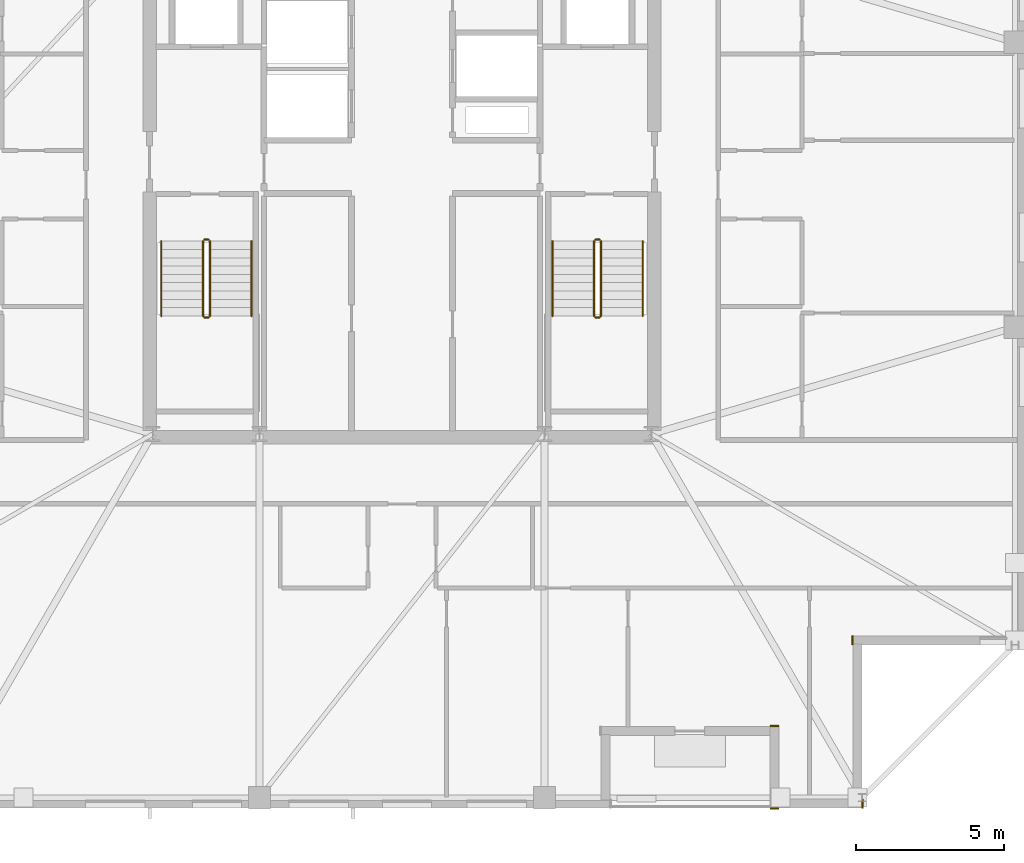
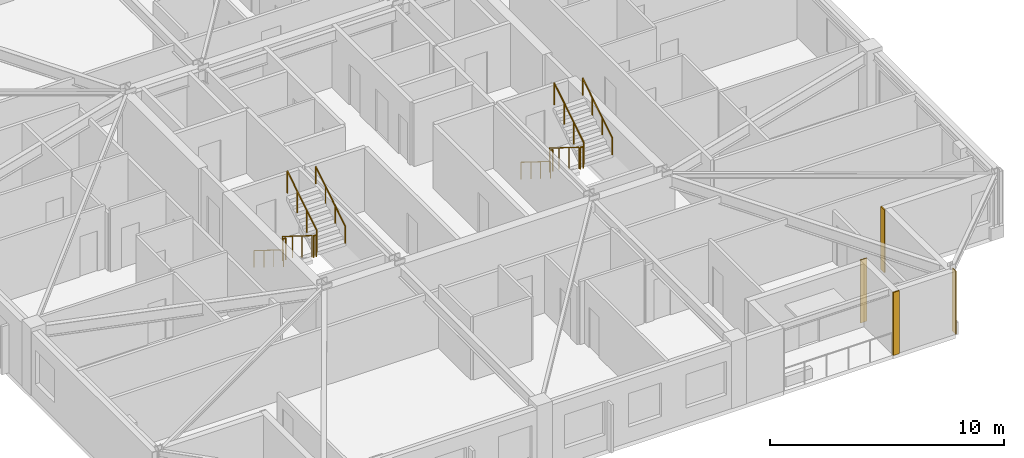
# One storey, part 13 of 15: 12 railings, 4 coverings.
"""IFC4 building model written with IfcOpenShell, lengths in metres."""

import ifcopenshell
import ifcopenshell.guid

model = None  # the IFC model being written
_history = None  # IfcOwnerHistory: only IFC2X3 demands one
_inside = {}  # id of a spatial element -> (the spatial element, [elements in it])
_under = {}  # id of a project, library or spatial element -> (it, [spatial elements below it])
_declared = {}  # id of a project -> (the project, [libraries it declares])
_typed = {}  # id of a type object -> (the type object, [elements of that type])
_made_of = {}  # id of a material, layer set ... -> (it, [elements and type objects made of it])


def new_model(schema):
    """Start an empty IFC model of exactly this schema.

    Asked for "IFC4X3", IfcOpenShell would pick the latest addendum, in which some entities
    have other attributes; the version numbers below select the first issue.
    IFC2X3 requires an IfcOwnerHistory on every rooted entity: one is made here for all.
    """
    global model, _history
    if schema == "IFC4X3":
        model = ifcopenshell.file(schema_version=(4, 3, 0, 0))
    else:
        model = ifcopenshell.file(schema=schema)
    _inside.clear()
    _under.clear()
    _declared.clear()
    _typed.clear()
    _made_of.clear()
    _history = None
    if model.schema == "IFC2X3":
        org = make("IfcOrganization", Name="unknown")
        user = make(
            "IfcPersonAndOrganization",
            ThePerson=make("IfcPerson", FamilyName="unknown"),
            TheOrganization=org,
        )
        app = make(
            "IfcApplication",
            ApplicationDeveloper=org,
            Version="unknown",
            ApplicationFullName="unknown",
            ApplicationIdentifier="unknown",
        )
        _history = make(
            "IfcOwnerHistory",
            OwningUser=user,
            OwningApplication=app,
            ChangeAction="ADDED",
            CreationDate=0,
        )
    return model


def make(cls, **values):
    """One entity of the class cls with the attributes given. An attribute that is None is left unset."""
    return model.create_entity(
        cls, **{name: value for name, value in values.items() if value is not None}
    )


def rooted(cls, **values):
    """An entity with a GlobalId (a new one), such as an element, a storey or a relation."""
    return make(cls, GlobalId=ifcopenshell.guid.new(), OwnerHistory=_history, **values)


def si_unit(unit_type, name, prefix=None):
    """IfcSIUnit, for example si_unit("LENGTHUNIT", "METRE", prefix="MILLI")."""
    return make("IfcSIUnit", UnitType=unit_type, Prefix=prefix, Name=name)


def assignment(units):
    """IfcUnitAssignment: the units of a project."""
    return None if units is None else make("IfcUnitAssignment", Units=units)


def point(xyz):
    """IfcCartesianPoint."""
    return None if xyz is None else make("IfcCartesianPoint", Coordinates=xyz)


def direction(xyz):
    """IfcDirection."""
    return None if xyz is None else make("IfcDirection", DirectionRatios=xyz)


def frame(location, z_axis=None, x_axis=None):
    """IfcAxis2Placement3D, a coordinate frame: its origin and axes. An axis left out is left unset."""
    return make(
        "IfcAxis2Placement3D",
        Location=point(location),
        Axis=direction(z_axis),
        RefDirection=direction(x_axis),
    )


def frame_2d(location, x_axis=None):
    """IfcAxis2Placement2D, a coordinate frame in the plane: its origin and x axis."""
    return make(
        "IfcAxis2Placement2D", Location=point(location), RefDirection=direction(x_axis)
    )


def origin():
    """The frame at (0, 0, 0) with its axes left unset."""
    return frame((0.0, 0.0, 0.0))


def origin_2d():
    """The frame at (0, 0) in the plane with its x axis left unset."""
    return frame_2d((0.0, 0.0))


def place(relative_to, where):
    """IfcLocalPlacement: puts the frame where relative to a parent placement (None: the world)."""
    return make(
        "IfcLocalPlacement", PlacementRelTo=relative_to, RelativePlacement=where
    )


def context(
    kind, dimensions, precision=None, world=None, true_north=None, identifier=None
):
    """IfcGeometricRepresentationContext, for example the 3D "Model" context."""
    return make(
        "IfcGeometricRepresentationContext",
        ContextIdentifier=identifier,
        ContextType=kind,
        CoordinateSpaceDimension=dimensions,
        Precision=precision,
        WorldCoordinateSystem=world,
        TrueNorth=true_north,
    )


def subcontext(parent, identifier, kind, view, scale=None):
    """IfcGeometricRepresentationSubContext, for example "Body" below "Model"."""
    return make(
        "IfcGeometricRepresentationSubContext",
        ContextIdentifier=identifier,
        ContextType=kind,
        ParentContext=parent,
        TargetScale=scale,
        TargetView=view,
    )


def project(units=None, contexts=None):
    """IfcProject with its units and contexts."""
    return rooted(
        "IfcProject",
        Name="project",
        RepresentationContexts=contexts,
        UnitsInContext=assignment(units),
    )


def spatial(cls, under=None, at=None, **own):
    """A site, building, storey or space (cls), placed at a placement, below another one or the project."""
    s = rooted(cls, ObjectPlacement=at, **own)
    if under is not None:
        _under.setdefault(under.id(), (under, []))[1].append(s)
    return s


def profile(cls, at=None, kind="AREA", **sizes):
    """A parametric profile (cls). Its sizes go by their IFC names, for example OverallWidth=200.0."""
    return make(cls, ProfileType=kind, Position=at, **sizes)


def rectangle(**sizes):
    """IfcRectangleProfileDef."""
    return profile("IfcRectangleProfileDef", **sizes)


def circle(**sizes):
    """IfcCircleProfileDef."""
    return profile("IfcCircleProfileDef", **sizes)


def extrude(swept, where, along, depth):
    """IfcExtrudedAreaSolid: the profile swept, set in the frame where, extruded along a direction by depth."""
    return make(
        "IfcExtrudedAreaSolid",
        SweptArea=swept,
        Position=where,
        ExtrudedDirection=direction(along),
        Depth=depth,
    )


def shape(context_of_items, identifier, shape_type, items):
    """IfcShapeRepresentation: the items that make up one representation, for example the "Body"."""
    return make(
        "IfcShapeRepresentation",
        ContextOfItems=context_of_items,
        RepresentationIdentifier=identifier,
        RepresentationType=shape_type,
        Items=items,
    )


def material(Name=None, Category=None):
    """IfcMaterial."""
    return make("IfcMaterial", Name=Name, Category=Category)


def layer(
    of_material, thickness, ventilated=None, Name=None, Category=None, Priority=None
):
    """IfcMaterialLayer: one layer of a wall or slab, of a material (None: an air gap)."""
    return make(
        "IfcMaterialLayer",
        Material=of_material,
        LayerThickness=thickness,
        IsVentilated=ventilated,
        Name=Name,
        Category=Category,
        Priority=Priority,
    )


def layer_set(layers, Name=None):
    """IfcMaterialLayerSet."""
    return make("IfcMaterialLayerSet", MaterialLayers=layers, LayerSetName=Name)


def made_of(thing, what):
    """Note that an element or type object is made of a material, layer set ...; save() writes the relation."""
    if what is not None:
        _made_of.setdefault(what.id(), (what, []))[1].append(thing)
    return thing


def type_object(cls, material=None, **own):
    """A type object (cls), such as IfcWallType, which elements share."""
    return made_of(rooted(cls, **own), material)


def element(
    cls,
    number,
    at=None,
    inside=None,
    cuts=None,
    type_object=None,
    material=None,
    context=None,
    identifier="Body",
    shape_type=None,
    held_by="IfcProductDefinitionShape",
    body=None,
    shapes=None,
    **own,
):
    """One element of the class cls, such as IfcWall. Its Tag is "e" and its number.

    at: its placement. inside: the storey or other place that contains it. cuts: it is an
    opening in that element (IfcRelVoidsElement). A single representation is given by context,
    identifier, shape_type and body (its items); several are given by shapes. held_by: the class
    of the entity that holds the representations. save() writes the other relations.
    """
    e = rooted(cls, Tag="e%d" % number, ObjectPlacement=at, **own)
    if body is not None:
        shapes = [shape(context, identifier, shape_type, body)]
    if shapes is not None:
        e.Representation = make(held_by, Representations=shapes)
    if inside is not None:
        _inside.setdefault(inside.id(), (inside, []))[1].append(e)
    if cuts is not None:
        rooted(
            "IfcRelVoidsElement", RelatingBuildingElement=cuts, RelatedOpeningElement=e
        )
    if type_object is not None:
        _typed.setdefault(type_object.id(), (type_object, []))[1].append(e)
    return made_of(e, material)


def aggregate(whole, parts):
    """IfcRelAggregates: a whole, such as a stair, and the parts it consists of."""
    return rooted("IfcRelAggregates", RelatingObject=whole, RelatedObjects=parts)


def save(model, path):
    """Write the relations noted so far, then the file.

    IfcRelAggregates (storeys below a building ...), IfcRelContainedInSpatialStructure (elements
    in a storey), IfcRelDefinesByType, IfcRelAssociatesMaterial and IfcRelDeclares: one each for
    every whole, place, type object, material and project.
    """
    for whole, parts in _under.values():
        aggregate(whole, parts)
    for where, things in _inside.values():
        rooted(
            "IfcRelContainedInSpatialStructure",
            RelatedElements=things,
            RelatingStructure=where,
        )
    for kind, things in _typed.values():
        rooted("IfcRelDefinesByType", RelatedObjects=things, RelatingType=kind)
    for what, things in _made_of.values():
        rooted("IfcRelAssociatesMaterial", RelatedObjects=things, RelatingMaterial=what)
    for by, libraries in _declared.values():
        rooted("IfcRelDeclares", RelatingContext=by, RelatedDefinitions=libraries)
    model.write(path)


model = new_model("IFC4")

# Units and contexts
model_context = context("Model", 3, precision=1e-05, world=origin(), true_north=direction((0.0, 1.0)))
body_context = subcontext(model_context, "Body", "Model", "MODEL_VIEW")
ifc_project = project(units=[si_unit("LENGTHUNIT", "METRE"), si_unit("AREAUNIT", "SQUARE_METRE"), si_unit("VOLUMEUNIT", "CUBIC_METRE"), si_unit("PLANEANGLEUNIT", "RADIAN"), si_unit("MASSUNIT", "GRAM", prefix="KILO")], contexts=[model_context])

# Site, building, storey
site_placement = place(None, origin())
site = spatial("IfcSite", under=ifc_project, at=site_placement, CompositionType="ELEMENT")
building_placement = place(site_placement, origin())
building = spatial("IfcBuilding", under=site, at=building_placement, Name="Cairnveth Concourse Tower", CompositionType="ELEMENT")
storey_placement = place(building_placement, frame((0.0, 0.0, 287.5)))
storey = spatial("IfcBuildingStorey", under=building, at=storey_placement, Name="L79", CompositionType="ELEMENT", Elevation=287.5)

# Coverings
ifc_material_1 = material(Name="Dressed Melbourne Bluestone Cladding", Category="masonry")
ifc_layer = layer(ifc_material_1, 0.050048828125)
ifc_layer_set = layer_set([ifc_layer], Name="Dressed Melbourne Bluestone Cladding")
covering_type = type_object("IfcCoveringType", Name="DRESSED BLUESTONE PLINTH CLADDING 50", PredefinedType="CLADDING", material=ifc_layer_set)
for number, where, z_axis, x_axis, name in (
    (1, (67.179931640625, 23.800048828125, 0.0), (0.0, 0.0, 1.0), (0.0, -1.0, 0.0), "Melbourne Bluestone Corner Quoin L79-1206"),
    (2, (67.52001953125, 18.300048828125, 0.0), (0.0, 0.0, 1.0), (0.0, -1.0, 0.0), "Melbourne Bluestone Corner Quoin L79-1207"),
    (3, (64.699951171875, 17.97998046875, 0.0), (0.0, 0.0, 1.0), (-1.0, 0.0, 0.0), "Melbourne Bluestone Corner Quoin L79-1208"),
    (4, (64.699951171875, 20.77001953125, 0.0), (0.0, 0.0, 1.0), (-1.0, 0.0, 0.0), "Melbourne Bluestone Corner Quoin L79-1209"),
):
    element("IfcCovering", number, at=place(storey_placement, frame(where, z_axis=z_axis, x_axis=x_axis)), inside=storey, type_object=covering_type, Name=name, PredefinedType="CLADDING", context=body_context, shape_type="SweptSolid", body=[
        extrude(rectangle(XDim=0.300048828125, YDim=0.050048828125, at=frame_2d((0.14990234375, 0.0))), origin(), (0.0, 0.0, 1.0), 3.2900390625),
    ])

# Railings
ifc_material_2 = material(Name="Steel Grade 350", Category="steel")
railing_type_1 = type_object("IfcRailingType", Name="STAIR GUARDRAIL 1150", PredefinedType="GUARDRAIL", material=ifc_material_2)
railing_1_placement = place(storey_placement, frame((45.2900390625, 37.10009765625, 0.175048828125)))
element("IfcRailing", 5, at=railing_1_placement, inside=storey, type_object=railing_type_1, Name="L79 ST-1 stair guard 1", PredefinedType="GUARDRAIL", context=body_context, shape_type="SweptSolid", body=[
    extrude(circle(Radius=0.02392578125, at=origin_2d()), frame((0.0, 0.0, 1.1259765625), z_axis=(0.0, -0.848007534815, 0.529984170421), x_axis=(1.0, 0.0, 0.0)), (0.0, 0.0, 1.0), 2.9716796875),
    extrude(circle(Radius=0.02099609375, at=origin_2d()), origin(), (0.0, 0.0, 1.0), 1.101806640625),
    extrude(circle(Radius=0.02099609375, at=origin_2d()), frame((0.0, -0.840087890625, 0.52490234375)), (0.0, 0.0, 1.0), 1.101806640625),
    extrude(circle(Radius=0.02099609375, at=origin_2d()), frame((0.0, -1.679931640625, 1.050048828125)), (0.0, 0.0, 1.0), 1.101806640625),
    extrude(circle(Radius=0.02099609375, at=origin_2d()), frame((0.0, -2.52001953125, 1.574951171875)), (0.0, 0.0, 1.0), 1.101806640625),
])
railing_2_placement = place(storey_placement, frame((45.340087890625, 34.530029296875, 1.75)))
element("IfcRailing", 6, at=railing_2_placement, inside=storey, type_object=railing_type_1, Name="L79 ST-1 stair guard 2", PredefinedType="GUARDRAIL", context=body_context, shape_type="SweptSolid", body=[
    extrude(circle(Radius=0.02392578125, at=origin_2d()), frame((0.0, 0.0, 1.1259765625), z_axis=(1.0, 0.0, 0.0), x_axis=(0.0, 1.0, 0.0)), (0.0, 0.0, 1.0), 0.139892578125),
    extrude(circle(Radius=0.02099609375, at=origin_2d()), origin(), (0.0, 0.0, 1.0), 1.101806640625),
    extrude(circle(Radius=0.02099609375, at=origin_2d()), frame((0.139892578125, 0.0, 0.0)), (0.0, 0.0, 1.0), 1.101806640625),
])
railing_3_placement = place(storey_placement, frame((45.530029296875, 34.580078125, 1.925048828125)))
element("IfcRailing", 7, at=railing_3_placement, inside=storey, type_object=railing_type_1, Name="L79 ST-1 stair guard 3", PredefinedType="GUARDRAIL", context=body_context, shape_type="SweptSolid", body=[
    extrude(circle(Radius=0.02392578125, at=origin_2d()), frame((0.0, 0.0, 1.1259765625), z_axis=(0.0, 0.848007534815, 0.529984170421), x_axis=(-1.0, 0.0, 0.0)), (0.0, 0.0, 1.0), 2.9716796875),
    extrude(circle(Radius=0.02099609375, at=origin_2d()), origin(), (0.0, 0.0, 1.0), 1.101806640625),
    extrude(circle(Radius=0.02099609375, at=origin_2d()), frame((0.0, 0.840087890625, 0.52490234375)), (0.0, 0.0, 1.0), 1.101806640625),
    extrude(circle(Radius=0.02099609375, at=origin_2d()), frame((0.0, 1.679931640625, 1.050048828125)), (0.0, 0.0, 1.0), 1.101806640625),
    extrude(circle(Radius=0.02099609375, at=origin_2d()), frame((0.0, 2.52001953125, 1.574951171875)), (0.0, 0.0, 1.0), 1.101806640625),
])
railing_4_placement = place(storey_placement, frame((45.340087890625, 37.14990234375, 0.0)))
element("IfcRailing", 8, at=railing_4_placement, inside=storey, type_object=railing_type_1, Name="L79 ST-1 stair guard 4", PredefinedType="GUARDRAIL", context=body_context, shape_type="SweptSolid", body=[
    extrude(circle(Radius=0.02392578125, at=origin_2d()), frame((0.0, 0.0, 1.1259765625), z_axis=(1.0, 0.0, 0.0), x_axis=(0.0, 1.0, 0.0)), (0.0, 0.0, 1.0), 0.139892578125),
    extrude(circle(Radius=0.02099609375, at=origin_2d()), origin(), (0.0, 0.0, 1.0), 1.101806640625),
    extrude(circle(Radius=0.02099609375, at=origin_2d()), frame((0.139892578125, 0.0, 0.0)), (0.0, 0.0, 1.0), 1.101806640625),
])
railing_5_placement = place(storey_placement, frame((58.469970703125, 37.10009765625, 0.175048828125)))
element("IfcRailing", 9, at=railing_5_placement, inside=storey, type_object=railing_type_1, Name="L79 ST-2 stair guard 1", PredefinedType="GUARDRAIL", context=body_context, shape_type="SweptSolid", body=[
    extrude(circle(Radius=0.02392578125, at=origin_2d()), frame((0.0, 0.0, 1.1259765625), z_axis=(0.0, -0.848007534815, 0.529984170421), x_axis=(1.0, 0.0, 0.0)), (0.0, 0.0, 1.0), 2.9716796875),
    extrude(circle(Radius=0.02099609375, at=origin_2d()), origin(), (0.0, 0.0, 1.0), 1.101806640625),
    extrude(circle(Radius=0.02099609375, at=origin_2d()), frame((0.0, -0.840087890625, 0.52490234375)), (0.0, 0.0, 1.0), 1.101806640625),
    extrude(circle(Radius=0.02099609375, at=origin_2d()), frame((0.0, -1.679931640625, 1.050048828125)), (0.0, 0.0, 1.0), 1.101806640625),
    extrude(circle(Radius=0.02099609375, at=origin_2d()), frame((0.0, -2.52001953125, 1.574951171875)), (0.0, 0.0, 1.0), 1.101806640625),
])
railing_6_placement = place(storey_placement, frame((58.52001953125, 34.530029296875, 1.75)))
element("IfcRailing", 10, at=railing_6_placement, inside=storey, type_object=railing_type_1, Name="L79 ST-2 stair guard 2", PredefinedType="GUARDRAIL", context=body_context, shape_type="SweptSolid", body=[
    extrude(circle(Radius=0.02392578125, at=origin_2d()), frame((0.0, 0.0, 1.1259765625), z_axis=(1.0, 0.0, 0.0), x_axis=(0.0, 1.0, 0.0)), (0.0, 0.0, 1.0), 0.139892578125),
    extrude(circle(Radius=0.02099609375, at=origin_2d()), origin(), (0.0, 0.0, 1.0), 1.101806640625),
    extrude(circle(Radius=0.02099609375, at=origin_2d()), frame((0.139892578125, 0.0, 0.0)), (0.0, 0.0, 1.0), 1.101806640625),
])
railing_7_placement = place(storey_placement, frame((58.7099609375, 34.580078125, 1.925048828125)))
element("IfcRailing", 11, at=railing_7_placement, inside=storey, type_object=railing_type_1, Name="L79 ST-2 stair guard 3", PredefinedType="GUARDRAIL", context=body_context, shape_type="SweptSolid", body=[
    extrude(circle(Radius=0.02392578125, at=origin_2d()), frame((0.0, 0.0, 1.1259765625), z_axis=(0.0, 0.848007534815, 0.529984170421), x_axis=(-1.0, 0.0, 0.0)), (0.0, 0.0, 1.0), 2.9716796875),
    extrude(circle(Radius=0.02099609375, at=origin_2d()), origin(), (0.0, 0.0, 1.0), 1.101806640625),
    extrude(circle(Radius=0.02099609375, at=origin_2d()), frame((0.0, 0.840087890625, 0.52490234375)), (0.0, 0.0, 1.0), 1.101806640625),
    extrude(circle(Radius=0.02099609375, at=origin_2d()), frame((0.0, 1.679931640625, 1.050048828125)), (0.0, 0.0, 1.0), 1.101806640625),
    extrude(circle(Radius=0.02099609375, at=origin_2d()), frame((0.0, 2.52001953125, 1.574951171875)), (0.0, 0.0, 1.0), 1.101806640625),
])
railing_8_placement = place(storey_placement, frame((58.52001953125, 37.14990234375, 0.0)))
element("IfcRailing", 12, at=railing_8_placement, inside=storey, type_object=railing_type_1, Name="L79 ST-2 stair guard 4", PredefinedType="GUARDRAIL", context=body_context, shape_type="SweptSolid", body=[
    extrude(circle(Radius=0.02392578125, at=origin_2d()), frame((0.0, 0.0, 1.1259765625), z_axis=(1.0, 0.0, 0.0), x_axis=(0.0, 1.0, 0.0)), (0.0, 0.0, 1.0), 0.139892578125),
    extrude(circle(Radius=0.02099609375, at=origin_2d()), origin(), (0.0, 0.0, 1.0), 1.101806640625),
    extrude(circle(Radius=0.02099609375, at=origin_2d()), frame((0.139892578125, 0.0, 0.0)), (0.0, 0.0, 1.0), 1.101806640625),
])
railing_type_2 = type_object("IfcRailingType", Name="STAIR WALL HANDRAIL 900", PredefinedType="HANDRAIL", material=ifc_material_2)
railing_9_placement = place(storey_placement, frame((43.889892578125, 37.10009765625, 0.175048828125)))
element("IfcRailing", 13, at=railing_9_placement, inside=storey, type_object=railing_type_2, Name="L79 ST-1 stair handrail 1", PredefinedType="HANDRAIL", context=body_context, shape_type="SweptSolid", body=[
    extrude(circle(Radius=0.02392578125, at=origin_2d()), frame((0.0, 0.0, 0.8759765625), z_axis=(0.0, -0.848007534815, 0.529984170421), x_axis=(1.0, 0.0, 0.0)), (0.0, 0.0, 1.0), 2.9716796875),
    extrude(circle(Radius=0.02099609375, at=origin_2d()), origin(), (0.0, 0.0, 1.0), 0.851806640625),
    extrude(circle(Radius=0.02099609375, at=origin_2d()), frame((0.0, -0.840087890625, 0.52490234375)), (0.0, 0.0, 1.0), 0.851806640625),
    extrude(circle(Radius=0.02099609375, at=origin_2d()), frame((0.0, -1.679931640625, 1.050048828125)), (0.0, 0.0, 1.0), 0.851806640625),
    extrude(circle(Radius=0.02099609375, at=origin_2d()), frame((0.0, -2.52001953125, 1.574951171875)), (0.0, 0.0, 1.0), 0.851806640625),
])
railing_10_placement = place(storey_placement, frame((46.929931640625, 34.580078125, 1.925048828125)))
element("IfcRailing", 14, at=railing_10_placement, inside=storey, type_object=railing_type_2, Name="L79 ST-1 stair handrail 2", PredefinedType="HANDRAIL", context=body_context, shape_type="SweptSolid", body=[
    extrude(circle(Radius=0.02392578125, at=origin_2d()), frame((0.0, 0.0, 0.8759765625), z_axis=(0.0, 0.848007534815, 0.529984170421), x_axis=(-1.0, 0.0, 0.0)), (0.0, 0.0, 1.0), 2.9716796875),
    extrude(circle(Radius=0.02099609375, at=origin_2d()), origin(), (0.0, 0.0, 1.0), 0.851806640625),
    extrude(circle(Radius=0.02099609375, at=origin_2d()), frame((0.0, 0.840087890625, 0.52490234375)), (0.0, 0.0, 1.0), 0.851806640625),
    extrude(circle(Radius=0.02099609375, at=origin_2d()), frame((0.0, 1.679931640625, 1.050048828125)), (0.0, 0.0, 1.0), 0.851806640625),
    extrude(circle(Radius=0.02099609375, at=origin_2d()), frame((0.0, 2.52001953125, 1.574951171875)), (0.0, 0.0, 1.0), 0.851806640625),
])
railing_11_placement = place(storey_placement, frame((57.070068359375, 37.10009765625, 0.175048828125)))
element("IfcRailing", 15, at=railing_11_placement, inside=storey, type_object=railing_type_2, Name="L79 ST-2 stair handrail 1", PredefinedType="HANDRAIL", context=body_context, shape_type="SweptSolid", body=[
    extrude(circle(Radius=0.02392578125, at=origin_2d()), frame((0.0, 0.0, 0.8759765625), z_axis=(0.0, -0.848007534815, 0.529984170421), x_axis=(1.0, 0.0, 0.0)), (0.0, 0.0, 1.0), 2.9716796875),
    extrude(circle(Radius=0.02099609375, at=origin_2d()), origin(), (0.0, 0.0, 1.0), 0.851806640625),
    extrude(circle(Radius=0.02099609375, at=origin_2d()), frame((0.0, -0.840087890625, 0.52490234375)), (0.0, 0.0, 1.0), 0.851806640625),
    extrude(circle(Radius=0.02099609375, at=origin_2d()), frame((0.0, -1.679931640625, 1.050048828125)), (0.0, 0.0, 1.0), 0.851806640625),
    extrude(circle(Radius=0.02099609375, at=origin_2d()), frame((0.0, -2.52001953125, 1.574951171875)), (0.0, 0.0, 1.0), 0.851806640625),
])
railing_12_placement = place(storey_placement, frame((60.110107421875, 34.580078125, 1.925048828125)))
element("IfcRailing", 16, at=railing_12_placement, inside=storey, type_object=railing_type_2, Name="L79 ST-2 stair handrail 2", PredefinedType="HANDRAIL", context=body_context, shape_type="SweptSolid", body=[
    extrude(circle(Radius=0.02392578125, at=origin_2d()), frame((0.0, 0.0, 0.8759765625), z_axis=(0.0, 0.848007534815, 0.529984170421), x_axis=(-1.0, 0.0, 0.0)), (0.0, 0.0, 1.0), 2.9716796875),
    extrude(circle(Radius=0.02099609375, at=origin_2d()), origin(), (0.0, 0.0, 1.0), 0.851806640625),
    extrude(circle(Radius=0.02099609375, at=origin_2d()), frame((0.0, 0.840087890625, 0.52490234375)), (0.0, 0.0, 1.0), 0.851806640625),
    extrude(circle(Radius=0.02099609375, at=origin_2d()), frame((0.0, 1.679931640625, 1.050048828125)), (0.0, 0.0, 1.0), 0.851806640625),
    extrude(circle(Radius=0.02099609375, at=origin_2d()), frame((0.0, 2.52001953125, 1.574951171875)), (0.0, 0.0, 1.0), 0.851806640625),
])

save(model, "model.ifc")
